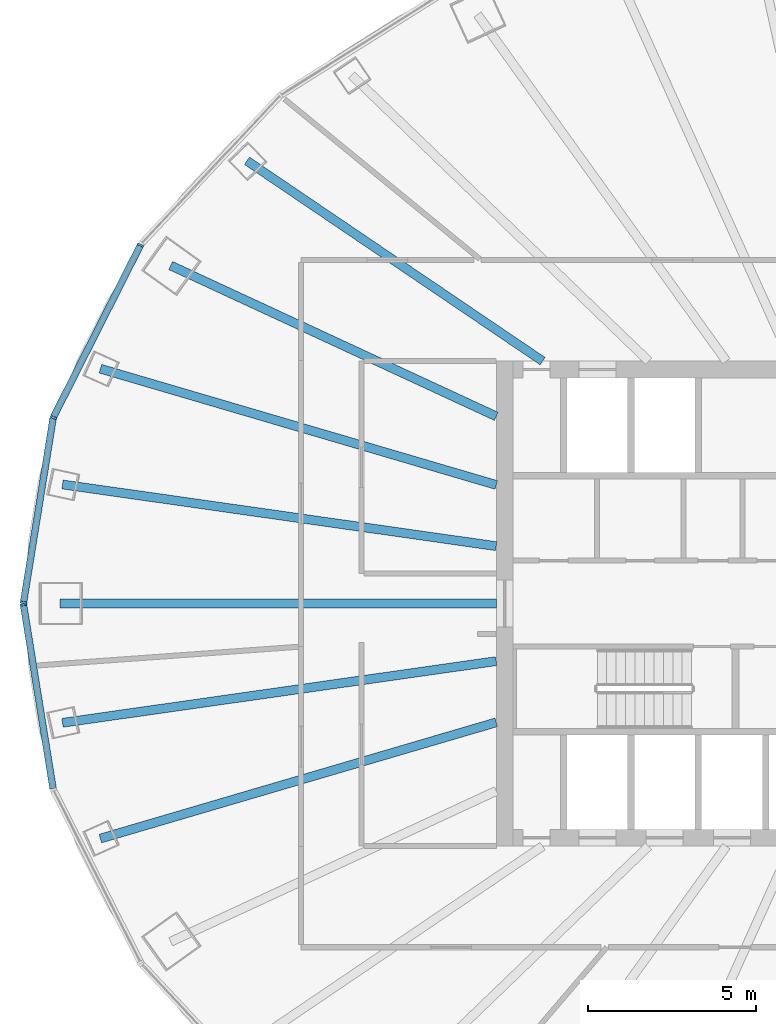
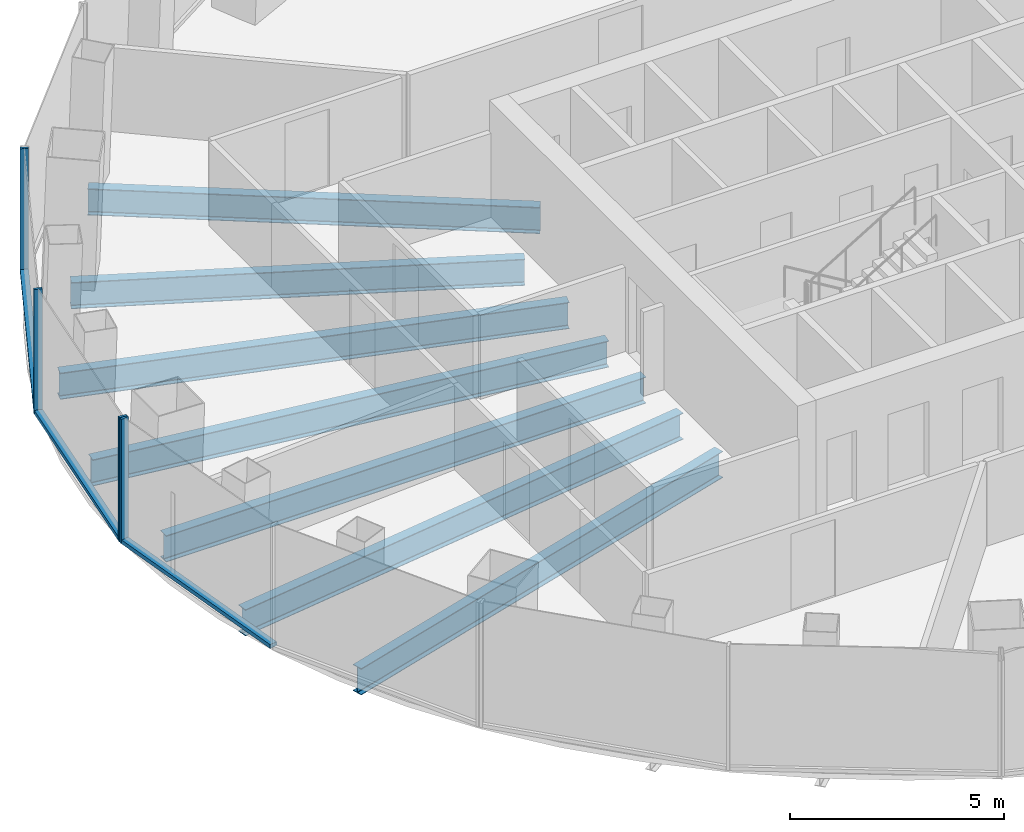
# One storey, part 3 of 12: 7 beams, 7 members, 2 elements without a shape of their own.
"""IFC4 building model written with IfcOpenShell, lengths in metres."""

from ifc_helpers import new_model, si_unit, direction, frame, origin, origin_2d, place, context, subcontext, project, spatial, rectangle, i_section, extrude, material, layer, layer_set, material_profile, profile_set, type_object, element, aggregate, save


model = new_model("IFC4")

# Units and contexts
model_context = context("Model", 3, precision=1e-05, world=origin(), true_north=direction((0.0, 1.0)))
body_context = subcontext(model_context, "Body", "Model", "MODEL_VIEW")
ifc_project = project(units=[si_unit("LENGTHUNIT", "METRE"), si_unit("AREAUNIT", "SQUARE_METRE"), si_unit("VOLUMEUNIT", "CUBIC_METRE"), si_unit("PLANEANGLEUNIT", "RADIAN"), si_unit("MASSUNIT", "GRAM", prefix="KILO")], contexts=[model_context])

# Site, building, storey
site_placement = place(None, origin())
site = spatial("IfcSite", under=ifc_project, at=site_placement, CompositionType="ELEMENT")
building_placement = place(site_placement, origin())
building = spatial("IfcBuilding", under=site, at=building_placement, Name="Siaravel Broadcast Tower", CompositionType="ELEMENT")
storey_placement = place(building_placement, frame((0.0, 0.0, 100.800048828125)))
storey = spatial("IfcBuildingStorey", under=building, at=storey_placement, Name="L23", CompositionType="ELEMENT", Elevation=100.800048828125)

# Beams
ifc_material_1 = material(Name="Steel S355", Category="steel")
ifc_material_profile_1 = material_profile(ifc_material_1, i_section(OverallWidth=0.26513671875, OverallDepth=0.75390625, WebThickness=0.0126953125, FlangeThickness=0.017578125, FilletRadius=0.0166015625, at=origin_2d()))
ifc_profile_set_1 = profile_set([ifc_material_profile_1], Name="Steel S355")
beam_type = type_object("IfcBeamType", Name="BM-UB 762x267x147", PredefinedType="BEAM", material=ifc_profile_set_1)
beam_1_placement = place(storey_placement, frame((-19.3994140625, 13.14501953125, -0.527099609375), z_axis=(0.827855543, -0.560941352, 0.0), x_axis=(0.560941352, 0.827855543, 0.0)))
element("IfcBeam", 1, at=beam_1_placement, inside=storey, type_object=beam_type, Name="Radial beam RB15", PredefinedType="BEAM", context=body_context, shape_type="SweptSolid", body=[
    extrude(i_section(OverallWidth=0.26513671875, OverallDepth=0.75390625, WebThickness=0.0126953125, FlangeThickness=0.017578125, FilletRadius=0.0166015625, at=origin_2d()), origin(), (0.0, 0.0, 1.0), 10.598388671875),
])
beam_2_placement = place(storey_placement, frame((-21.663818359375, 10.03662109375, -0.527099609375), z_axis=(0.907348568, -0.420379087, 0.0), x_axis=(0.420379087, 0.907348568, 0.0)))
element("IfcBeam", 2, at=beam_2_placement, inside=storey, type_object=beam_type, Name="Radial beam RB16", PredefinedType="BEAM", context=body_context, shape_type="SweptSolid", body=[
    extrude(i_section(OverallWidth=0.26513671875, OverallDepth=0.75390625, WebThickness=0.0126953125, FlangeThickness=0.017578125, FilletRadius=0.0166015625, at=origin_2d()), origin(), (0.0, 0.0, 1.0), 10.650634765625),
])
beam_3_placement = place(storey_placement, frame((-23.751220703125, 6.97412109375, -0.527099609375), z_axis=(0.959493642, -0.281730281, 0.0), x_axis=(0.281730281, 0.959493642, 0.0)))
element("IfcBeam", 3, at=beam_3_placement, inside=storey, type_object=beam_type, Name="Radial beam RB17", PredefinedType="BEAM", context=body_context, shape_type="SweptSolid", body=[
    extrude(i_section(OverallWidth=0.26513671875, OverallDepth=0.75390625, WebThickness=0.0126953125, FlangeThickness=0.017578125, FilletRadius=0.0166015625, at=origin_2d()), origin(), (0.0, 0.0, 1.0), 12.247314453125),
])
beam_4_placement = place(storey_placement, frame((-24.87548828125, 3.537353515625, -0.527099609375), z_axis=(0.990038654, -0.140795819, 0.0), x_axis=(0.140795819, 0.990038654, 0.0)))
element("IfcBeam", 4, at=beam_4_placement, inside=storey, type_object=beam_type, Name="Radial beam RB18", PredefinedType="BEAM", context=body_context, shape_type="SweptSolid", body=[
    extrude(i_section(OverallWidth=0.26513671875, OverallDepth=0.75390625, WebThickness=0.0126953125, FlangeThickness=0.017578125, FilletRadius=0.0166015625, at=origin_2d()), origin(), (0.0, 0.0, 1.0), 13.005126953125),
])
beam_5_placement = place(storey_placement, frame((-24.95361328125, 0.0, -0.527099609375), z_axis=(1.0, 0.0, 0.0), x_axis=(0.0, 1.0, 0.0)))
element("IfcBeam", 5, at=beam_5_placement, inside=storey, type_object=beam_type, Name="Radial beam RB19", PredefinedType="BEAM", context=body_context, shape_type="SweptSolid", body=[
    extrude(i_section(OverallWidth=0.26513671875, OverallDepth=0.75390625, WebThickness=0.0126953125, FlangeThickness=0.017578125, FilletRadius=0.0166015625, at=origin_2d()), origin(), (0.0, 0.0, 1.0), 12.95361328125),
])
beam_6_placement = place(storey_placement, frame((-24.87548828125, -3.537353515625, -0.527099609375), z_axis=(0.990038654, 0.140795819, 0.0), x_axis=(-0.140795819, 0.990038654, 0.0)))
element("IfcBeam", 6, at=beam_6_placement, inside=storey, type_object=beam_type, Name="Radial beam RB20", PredefinedType="BEAM", context=body_context, shape_type="SweptSolid", body=[
    extrude(i_section(OverallWidth=0.26513671875, OverallDepth=0.75390625, WebThickness=0.0126953125, FlangeThickness=0.017578125, FilletRadius=0.0166015625, at=origin_2d()), origin(), (0.0, 0.0, 1.0), 13.005126953125),
])
beam_7_placement = place(storey_placement, frame((-23.751220703125, -6.97412109375, -0.527099609375), z_axis=(0.959493642, 0.281730281, 0.0), x_axis=(-0.281730281, 0.959493642, 0.0)))
element("IfcBeam", 7, at=beam_7_placement, inside=storey, type_object=beam_type, Name="Radial beam RB21", PredefinedType="BEAM", context=body_context, shape_type="SweptSolid", body=[
    extrude(i_section(OverallWidth=0.26513671875, OverallDepth=0.75390625, WebThickness=0.0126953125, FlangeThickness=0.017578125, FilletRadius=0.0166015625, at=origin_2d()), origin(), (0.0, 0.0, 1.0), 12.247314453125),
])

# Curtain wall, members
ifc_material_2 = material(Name="Aluminium 6063-T6", Category="aluminium")
ifc_layer = layer(ifc_material_2, 0.199951171875)
ifc_layer_set = layer_set([ifc_layer], Name="Aluminium 6063-T6")
curtain_wall_type = type_object("IfcCurtainWallType", Name="Unitised curtain wall, zone 2", PredefinedType="NOTDEFINED", material=ifc_layer_set)
curtain_wall_1_placement = place(storey_placement, origin())
curtain_wall_1 = element("IfcCurtainWall", 8, at=curtain_wall_1_placement, inside=storey, type_object=curtain_wall_type, Name="L23 Unitised curtain wall, zone 2 06", PredefinedType="NOTDEFINED")
ifc_material_profile_2 = material_profile(ifc_material_2, rectangle(XDim=0.199951171875, YDim=0.06494140625, at=origin_2d()))
ifc_profile_set_2 = profile_set([ifc_material_profile_2], Name="Aluminium 6063-T6")
member_type_1 = type_object("IfcMemberType", Name="CW-Z2 mullion", PredefinedType="MULLION", material=ifc_profile_set_2)
member_1_placement = place(storey_placement, frame((-22.56298828125, 10.64404296875, 0.0), z_axis=(0.0, 0.0, 1.0), x_axis=(0.892391822, -0.451261384, 0.0)))
member_1 = element("IfcMember", 9, at=member_1_placement, type_object=member_type_1, Name="CW-Z2 mullion 1", PredefinedType="MULLION", context=body_context, shape_type="SweptSolid", body=[
    extrude(rectangle(XDim=0.199951171875, YDim=0.06494140625, at=origin_2d()), origin(), (0.0, 0.0, 1.0), 3.550048828125),
])
member_2_placement = place(storey_placement, frame((-25.151611328125, 5.525390625, 0.0), z_axis=(0.0, 0.0, 1.0), x_axis=(0.951177085, -0.308645676, 0.0)))
member_2 = element("IfcMember", 10, at=member_2_placement, type_object=member_type_1, Name="CW-Z2 mullion 2", PredefinedType="MULLION", context=body_context, shape_type="SweptSolid", body=[
    extrude(rectangle(XDim=0.199951171875, YDim=0.06494140625, at=origin_2d()), origin(), (0.0, 0.0, 1.0), 3.550048828125),
])
member_3_placement = place(storey_placement, frame((-26.0341796875, 0.031982421875, 0.0), z_axis=(0.0, 0.0, 1.0), x_axis=(0.987329139, -0.15868576, 0.0)))
member_3 = element("IfcMember", 11, at=member_3_placement, type_object=member_type_1, Name="CW-Z2 mullion 3", PredefinedType="MULLION", context=body_context, shape_type="SweptSolid", body=[
    extrude(rectangle(XDim=0.199951171875, YDim=0.06494140625, at=origin_2d()), origin(), (0.0, 0.0, 1.0), 3.550048828125),
])

# Curtain wall, member
curtain_wall_2_placement = place(storey_placement, origin())
curtain_wall_2 = element("IfcCurtainWall", 12, at=curtain_wall_2_placement, inside=storey, type_object=curtain_wall_type, Name="L23 Unitised curtain wall, zone 2 07", PredefinedType="NOTDEFINED")
member_4_placement = place(storey_placement, frame((-26.0341796875, -0.031982421875, 0.0), z_axis=(0.0, 0.0, 1.0), x_axis=(0.987329139, 0.15868576, 0.0)))
member_4 = element("IfcMember", 13, at=member_4_placement, type_object=member_type_1, Name="CW-Z2 mullion 1", PredefinedType="MULLION", context=body_context, shape_type="SweptSolid", body=[
    extrude(rectangle(XDim=0.199951171875, YDim=0.06494140625, at=origin_2d()), origin(), (0.0, 0.0, 1.0), 3.550048828125),
])

# Member
ifc_material_profile_3 = material_profile(ifc_material_2, rectangle(XDim=0.199951171875, YDim=0.110107421875, at=origin_2d()))
ifc_profile_set_3 = profile_set([ifc_material_profile_3], Name="Aluminium 6063-T6")
member_type_2 = type_object("IfcMemberType", Name="CW-Z2 transom", PredefinedType="USERDEFINED", material=ifc_profile_set_3)
member_5_placement = place(storey_placement, frame((-22.577880859375, 10.614990234375, 0.054931640625), z_axis=(-0.45123882, -0.892403231, 0.0), x_axis=(0.892403231, -0.45123882, 0.0)))
member_5 = element("IfcMember", 14, at=member_5_placement, type_object=member_type_2, Name="CW-Z2 transom 1", ObjectType="TRANSOM", PredefinedType="USERDEFINED", context=body_context, shape_type="SweptSolid", body=[
    extrude(rectangle(XDim=0.199951171875, YDim=0.110107421875, at=origin_2d()), origin(), (0.0, 0.0, 1.0), 5.670654296875),
])

member_6_placement = place(storey_placement, frame((-25.156494140625, 5.493408203125, 0.054931640625), z_axis=(-0.158722921, -0.987323166, 0.0), x_axis=(0.987323166, -0.158722921, 0.0)))
member_6 = element("IfcMember", 15, at=member_6_placement, type_object=member_type_2, Name="CW-Z2 transom 2", ObjectType="TRANSOM", PredefinedType="USERDEFINED", context=body_context, shape_type="SweptSolid", body=[
    extrude(rectangle(XDim=0.199951171875, YDim=0.110107421875, at=origin_2d()), origin(), (0.0, 0.0, 1.0), 5.4990234375),
])

aggregate(curtain_wall_1, [member_1, member_2, member_3, member_5, member_6])

member_7_placement = place(storey_placement, frame((-26.029296875, -0.064208984375, 0.054931640625), z_axis=(0.158722921, -0.987323166, 0.0), x_axis=(0.987323166, 0.158722921, 0.0)))
member_7 = element("IfcMember", 16, at=member_7_placement, type_object=member_type_2, Name="CW-Z2 transom 1", ObjectType="TRANSOM", PredefinedType="USERDEFINED", context=body_context, shape_type="SweptSolid", body=[
    extrude(rectangle(XDim=0.199951171875, YDim=0.110107421875, at=origin_2d()), origin(), (0.0, 0.0, 1.0), 5.4990234375),
])

aggregate(curtain_wall_2, [member_4, member_7])

save(model, "model.ifc")
